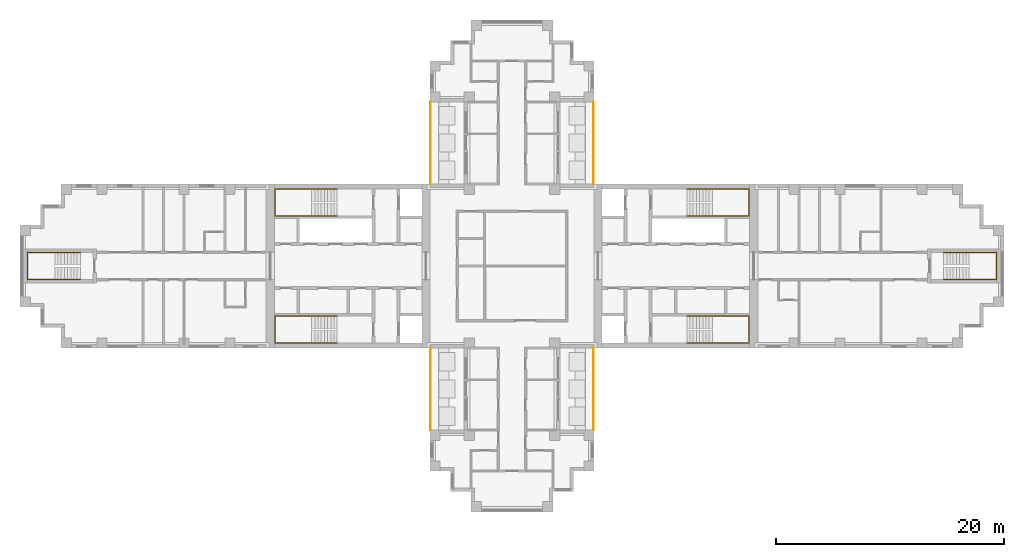
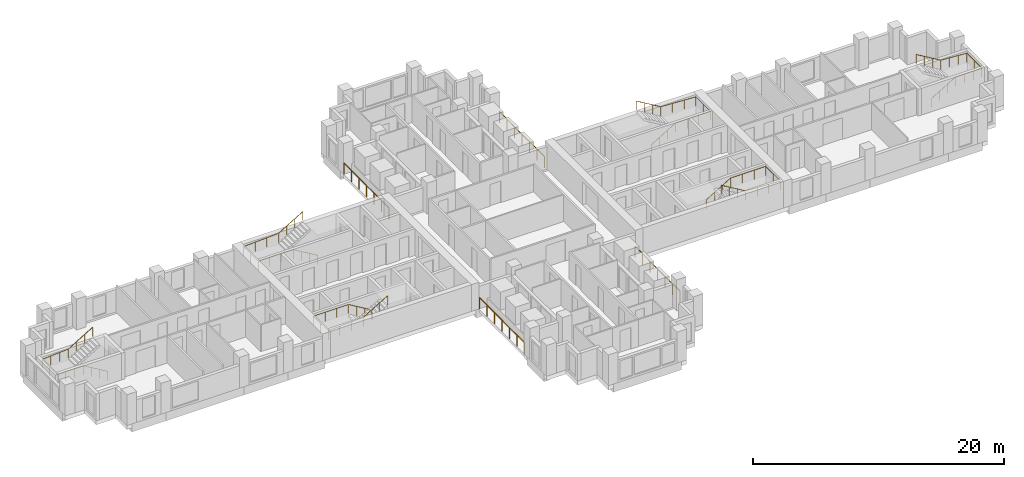
# One storey, part 11 of 12: 10 railings.
"""IFC4 building model written with IfcOpenShell, lengths in metres."""

from ifc_helpers import new_model, si_unit, direction, frame, origin, origin_2d, place, context, subcontext, project, spatial, circle, extrude, material, type_object, element, save


model = new_model("IFC4")

# Units and contexts
model_context = context("Model", 3, precision=1e-05, world=origin(), true_north=direction((0.0, 1.0)))
body_context = subcontext(model_context, "Body", "Model", "MODEL_VIEW")
ifc_project = project(units=[si_unit("LENGTHUNIT", "METRE"), si_unit("AREAUNIT", "SQUARE_METRE"), si_unit("VOLUMEUNIT", "CUBIC_METRE"), si_unit("PLANEANGLEUNIT", "RADIAN"), si_unit("MASSUNIT", "GRAM", prefix="KILO")], contexts=[model_context])

# Site, building, storey
site_placement = place(None, origin())
site = spatial("IfcSite", under=ifc_project, at=site_placement, CompositionType="ELEMENT")
building_placement = place(site_placement, origin())
building = spatial("IfcBuilding", under=site, at=building_placement, Name="Fustian Cross Tower", CompositionType="ELEMENT")
storey_placement = place(building_placement, frame((0.0, 0.0, 150.300048828125)))
storey = spatial("IfcBuildingStorey", under=building, at=storey_placement, Name="L47", CompositionType="ELEMENT", Elevation=150.300048828125)

# Railings
ifc_material_1 = material(Name="Stainless steel and glass", Category="steel")
railing_type_1 = type_object("IfcRailingType", Name="GR1 BALCONY GUARD 1100", PredefinedType="GUARDRAIL", material=ifc_material_1)
for number, where, name in (
    (1, (7.14990234375, 7.199951171875, 0.0), "Balcony guard"),
    (2, (-7.14990234375, 7.199951171875, 0.0), "Balcony guard"),
    (3, (7.14990234375, -14.39990234375, 0.0), "Balcony guard"),
    (4, (-7.14990234375, -14.39990234375, 0.0), "Balcony guard"),
):
    element("IfcRailing", number, at=place(storey_placement, frame(where)), inside=storey, type_object=railing_type_1, Name=name, PredefinedType="GUARDRAIL", context=body_context, shape_type="SweptSolid", body=[
        extrude(circle(Radius=0.02392578125, at=origin_2d()), frame((0.0, 0.0, 1.076171875), z_axis=(0.0, 1.0, 0.0), x_axis=(-1.0, 0.0, 0.0)), (0.0, 0.0, 1.0), 7.199951171875),
        extrude(circle(Radius=0.02099609375, at=origin_2d()), origin(), (0.0, 0.0, 1.0), 1.052001953125),
        extrude(circle(Radius=0.02099609375, at=origin_2d()), frame((0.0, 1.199951171875, 0.0)), (0.0, 0.0, 1.0), 1.052001953125),
        extrude(circle(Radius=0.02099609375, at=origin_2d()), frame((0.0, 2.39990234375, 0.0)), (0.0, 0.0, 1.0), 1.052001953125),
        extrude(circle(Radius=0.02099609375, at=origin_2d()), frame((0.0, 3.60009765625, 0.0)), (0.0, 0.0, 1.0), 1.052001953125),
        extrude(circle(Radius=0.02099609375, at=origin_2d()), frame((0.0, 4.800048828125, 0.0)), (0.0, 0.0, 1.0), 1.052001953125),
        extrude(circle(Radius=0.02099609375, at=origin_2d()), frame((0.0, 6.0, 0.0)), (0.0, 0.0, 1.0), 1.052001953125),
        extrude(circle(Radius=0.02099609375, at=origin_2d()), frame((0.0, 7.199951171875, 0.0)), (0.0, 0.0, 1.0), 1.052001953125),
    ])
ifc_material_2 = material(Name="Stainless steel", Category="steel")
railing_type_2 = type_object("IfcRailingType", Name="STAIR HANDRAIL", PredefinedType="HANDRAIL", material=ifc_material_2)
railing_1_placement = place(storey_placement, frame((15.35009765625, 4.39990234375, 0.16650390625)))
element("IfcRailing", 5, at=railing_1_placement, inside=storey, type_object=railing_type_2, Name="Stair ST1 handrail 1", PredefinedType="HANDRAIL", context=body_context, shape_type="SweptSolid", body=[
    extrude(circle(Radius=0.02490234375, at=origin_2d()), frame((0.0, 0.0, 0.875), z_axis=(0.859264461869, 0.0, 0.511531606619), x_axis=(0.0, 1.0, 0.0)), (0.0, 0.0, 1.0), 2.60693359375),
    extrude(circle(Radius=0.02490234375, at=origin_2d()), frame((2.239990234375, 0.0, 2.20849609375), z_axis=(1.0, 0.0, 0.0), x_axis=(0.0, 1.0, 0.0)), (0.0, 0.0, 1.0), 3.219970703125),
    extrude(circle(Radius=0.02490234375, at=origin_2d()), frame((5.4599609375, 0.0, 2.20849609375), z_axis=(0.0, 1.0, 0.0), x_axis=(-1.0, 0.0, 0.0)), (0.0, 0.0, 1.0), 2.35009765625),
    extrude(circle(Radius=0.02490234375, at=origin_2d()), frame((5.4599609375, 2.35009765625, 2.20849609375), z_axis=(-0.998665725648, 0.0, 0.051640763128), x_axis=(0.0, -1.0, 0.0)), (0.0, 0.0, 1.0), 3.224365234375),
    extrude(circle(Radius=0.02490234375, at=origin_2d()), frame((2.239990234375, 2.35009765625, 2.375), z_axis=(-0.859264461869, 0.0, 0.511531606619), x_axis=(0.0, -1.0, 0.0)), (0.0, 0.0, 1.0), 2.60693359375),
    extrude(circle(Radius=0.02001953125, at=origin_2d()), origin(), (0.0, 0.0, 1.0), 0.849853515625),
    extrude(circle(Radius=0.02001953125, at=origin_2d()), frame((0.74658203125, 0.0, 0.444580078125)), (0.0, 0.0, 1.0), 0.849853515625),
    extrude(circle(Radius=0.02001953125, at=origin_2d()), frame((1.493408203125, 0.0, 0.888916015625)), (0.0, 0.0, 1.0), 0.849853515625),
    extrude(circle(Radius=0.02001953125, at=origin_2d()), frame((2.239990234375, 0.0, 1.33349609375)), (0.0, 0.0, 1.0), 0.849853515625),
    extrude(circle(Radius=0.02001953125, at=origin_2d()), frame((3.313232421875, 0.0, 1.33349609375)), (0.0, 0.0, 1.0), 0.849853515625),
    extrude(circle(Radius=0.02001953125, at=origin_2d()), frame((4.38671875, 0.0, 1.33349609375)), (0.0, 0.0, 1.0), 0.849853515625),
    extrude(circle(Radius=0.02001953125, at=origin_2d()), frame((5.4599609375, 0.0, 1.33349609375)), (0.0, 0.0, 1.0), 0.849853515625),
    extrude(circle(Radius=0.02001953125, at=origin_2d()), frame((5.4599609375, 1.175048828125, 1.33349609375)), (0.0, 0.0, 1.0), 0.849853515625),
    extrude(circle(Radius=0.02001953125, at=origin_2d()), frame((5.4599609375, 2.35009765625, 1.33349609375)), (0.0, 0.0, 1.0), 0.849853515625),
    extrude(circle(Radius=0.02001953125, at=origin_2d()), frame((4.38671875, 2.35009765625, 1.388916015625)), (0.0, 0.0, 1.0), 0.849853515625),
    extrude(circle(Radius=0.02001953125, at=origin_2d()), frame((3.313232421875, 2.35009765625, 1.444580078125)), (0.0, 0.0, 1.0), 0.849853515625),
    extrude(circle(Radius=0.02001953125, at=origin_2d()), frame((2.239990234375, 2.35009765625, 1.5)), (0.0, 0.0, 1.0), 0.849853515625),
    extrude(circle(Radius=0.02001953125, at=origin_2d()), frame((1.493408203125, 2.35009765625, 1.944580078125)), (0.0, 0.0, 1.0), 0.849853515625),
    extrude(circle(Radius=0.02001953125, at=origin_2d()), frame((0.74658203125, 2.35009765625, 2.388916015625)), (0.0, 0.0, 1.0), 0.849853515625),
    extrude(circle(Radius=0.02001953125, at=origin_2d()), frame((0.0, 2.35009765625, 2.83349609375)), (0.0, 0.0, 1.0), 0.849853515625),
])
railing_2_placement = place(storey_placement, frame((15.35009765625, -4.39990234375, 0.16650390625)))
element("IfcRailing", 6, at=railing_2_placement, inside=storey, type_object=railing_type_2, Name="Stair ST2 handrail 1", PredefinedType="HANDRAIL", context=body_context, shape_type="SweptSolid", body=[
    extrude(circle(Radius=0.02490234375, at=origin_2d()), frame((0.0, 0.0, 0.875), z_axis=(0.859264461869, 0.0, 0.511531606619), x_axis=(0.0, 1.0, 0.0)), (0.0, 0.0, 1.0), 2.60693359375),
    extrude(circle(Radius=0.02490234375, at=origin_2d()), frame((2.239990234375, 0.0, 2.20849609375), z_axis=(1.0, 0.0, 0.0), x_axis=(0.0, 1.0, 0.0)), (0.0, 0.0, 1.0), 3.219970703125),
    extrude(circle(Radius=0.02490234375, at=origin_2d()), frame((5.4599609375, 0.0, 2.20849609375), z_axis=(0.0, -1.0, 0.0), x_axis=(1.0, 0.0, 0.0)), (0.0, 0.0, 1.0), 2.35009765625),
    extrude(circle(Radius=0.02490234375, at=origin_2d()), frame((5.4599609375, -2.35009765625, 2.20849609375), z_axis=(-0.998665725648, 0.0, 0.051640763128), x_axis=(0.0, -1.0, 0.0)), (0.0, 0.0, 1.0), 3.224365234375),
    extrude(circle(Radius=0.02490234375, at=origin_2d()), frame((2.239990234375, -2.35009765625, 2.375), z_axis=(-0.859264461869, 0.0, 0.511531606619), x_axis=(0.0, -1.0, 0.0)), (0.0, 0.0, 1.0), 2.60693359375),
    extrude(circle(Radius=0.02001953125, at=origin_2d()), origin(), (0.0, 0.0, 1.0), 0.849853515625),
    extrude(circle(Radius=0.02001953125, at=origin_2d()), frame((0.74658203125, 0.0, 0.444580078125)), (0.0, 0.0, 1.0), 0.849853515625),
    extrude(circle(Radius=0.02001953125, at=origin_2d()), frame((1.493408203125, 0.0, 0.888916015625)), (0.0, 0.0, 1.0), 0.849853515625),
    extrude(circle(Radius=0.02001953125, at=origin_2d()), frame((2.239990234375, 0.0, 1.33349609375)), (0.0, 0.0, 1.0), 0.849853515625),
    extrude(circle(Radius=0.02001953125, at=origin_2d()), frame((3.313232421875, 0.0, 1.33349609375)), (0.0, 0.0, 1.0), 0.849853515625),
    extrude(circle(Radius=0.02001953125, at=origin_2d()), frame((4.38671875, 0.0, 1.33349609375)), (0.0, 0.0, 1.0), 0.849853515625),
    extrude(circle(Radius=0.02001953125, at=origin_2d()), frame((5.4599609375, 0.0, 1.33349609375)), (0.0, 0.0, 1.0), 0.849853515625),
    extrude(circle(Radius=0.02001953125, at=origin_2d()), frame((5.4599609375, -1.175048828125, 1.33349609375)), (0.0, 0.0, 1.0), 0.849853515625),
    extrude(circle(Radius=0.02001953125, at=origin_2d()), frame((5.4599609375, -2.35009765625, 1.33349609375)), (0.0, 0.0, 1.0), 0.849853515625),
    extrude(circle(Radius=0.02001953125, at=origin_2d()), frame((4.38671875, -2.35009765625, 1.388916015625)), (0.0, 0.0, 1.0), 0.849853515625),
    extrude(circle(Radius=0.02001953125, at=origin_2d()), frame((3.313232421875, -2.35009765625, 1.444580078125)), (0.0, 0.0, 1.0), 0.849853515625),
    extrude(circle(Radius=0.02001953125, at=origin_2d()), frame((2.239990234375, -2.35009765625, 1.5)), (0.0, 0.0, 1.0), 0.849853515625),
    extrude(circle(Radius=0.02001953125, at=origin_2d()), frame((1.493408203125, -2.35009765625, 1.944580078125)), (0.0, 0.0, 1.0), 0.849853515625),
    extrude(circle(Radius=0.02001953125, at=origin_2d()), frame((0.74658203125, -2.35009765625, 2.388916015625)), (0.0, 0.0, 1.0), 0.849853515625),
    extrude(circle(Radius=0.02001953125, at=origin_2d()), frame((0.0, -2.35009765625, 2.83349609375)), (0.0, 0.0, 1.0), 0.849853515625),
])
railing_3_placement = place(storey_placement, frame((-15.35009765625, 4.39990234375, 0.16650390625)))
element("IfcRailing", 7, at=railing_3_placement, inside=storey, type_object=railing_type_2, Name="Stair ST3 handrail 1", PredefinedType="HANDRAIL", context=body_context, shape_type="SweptSolid", body=[
    extrude(circle(Radius=0.02490234375, at=origin_2d()), frame((0.0, 0.0, 0.875), z_axis=(-0.859264461869, 0.0, 0.511531606619), x_axis=(0.0, -1.0, 0.0)), (0.0, 0.0, 1.0), 2.60693359375),
    extrude(circle(Radius=0.02490234375, at=origin_2d()), frame((-2.239990234375, 0.0, 2.20849609375), z_axis=(-1.0, 0.0, 0.0), x_axis=(0.0, -1.0, 0.0)), (0.0, 0.0, 1.0), 3.219970703125),
    extrude(circle(Radius=0.02490234375, at=origin_2d()), frame((-5.4599609375, 0.0, 2.20849609375), z_axis=(0.0, 1.0, 0.0), x_axis=(-1.0, 0.0, 0.0)), (0.0, 0.0, 1.0), 2.35009765625),
    extrude(circle(Radius=0.02490234375, at=origin_2d()), frame((-5.4599609375, 2.35009765625, 2.20849609375), z_axis=(0.998665725648, 0.0, 0.051640763128), x_axis=(0.0, 1.0, 0.0)), (0.0, 0.0, 1.0), 3.224365234375),
    extrude(circle(Radius=0.02490234375, at=origin_2d()), frame((-2.239990234375, 2.35009765625, 2.375), z_axis=(0.859264461869, 0.0, 0.511531606619), x_axis=(0.0, 1.0, 0.0)), (0.0, 0.0, 1.0), 2.60693359375),
    extrude(circle(Radius=0.02001953125, at=origin_2d()), origin(), (0.0, 0.0, 1.0), 0.849853515625),
    extrude(circle(Radius=0.02001953125, at=origin_2d()), frame((-0.74658203125, 0.0, 0.444580078125)), (0.0, 0.0, 1.0), 0.849853515625),
    extrude(circle(Radius=0.02001953125, at=origin_2d()), frame((-1.493408203125, 0.0, 0.888916015625)), (0.0, 0.0, 1.0), 0.849853515625),
    extrude(circle(Radius=0.02001953125, at=origin_2d()), frame((-2.239990234375, 0.0, 1.33349609375)), (0.0, 0.0, 1.0), 0.849853515625),
    extrude(circle(Radius=0.02001953125, at=origin_2d()), frame((-3.313232421875, 0.0, 1.33349609375)), (0.0, 0.0, 1.0), 0.849853515625),
    extrude(circle(Radius=0.02001953125, at=origin_2d()), frame((-4.38671875, 0.0, 1.33349609375)), (0.0, 0.0, 1.0), 0.849853515625),
    extrude(circle(Radius=0.02001953125, at=origin_2d()), frame((-5.4599609375, 0.0, 1.33349609375)), (0.0, 0.0, 1.0), 0.849853515625),
    extrude(circle(Radius=0.02001953125, at=origin_2d()), frame((-5.4599609375, 1.175048828125, 1.33349609375)), (0.0, 0.0, 1.0), 0.849853515625),
    extrude(circle(Radius=0.02001953125, at=origin_2d()), frame((-5.4599609375, 2.35009765625, 1.33349609375)), (0.0, 0.0, 1.0), 0.849853515625),
    extrude(circle(Radius=0.02001953125, at=origin_2d()), frame((-4.38671875, 2.35009765625, 1.388916015625)), (0.0, 0.0, 1.0), 0.849853515625),
    extrude(circle(Radius=0.02001953125, at=origin_2d()), frame((-3.313232421875, 2.35009765625, 1.444580078125)), (0.0, 0.0, 1.0), 0.849853515625),
    extrude(circle(Radius=0.02001953125, at=origin_2d()), frame((-2.239990234375, 2.35009765625, 1.5)), (0.0, 0.0, 1.0), 0.849853515625),
    extrude(circle(Radius=0.02001953125, at=origin_2d()), frame((-1.493408203125, 2.35009765625, 1.944580078125)), (0.0, 0.0, 1.0), 0.849853515625),
    extrude(circle(Radius=0.02001953125, at=origin_2d()), frame((-0.74658203125, 2.35009765625, 2.388916015625)), (0.0, 0.0, 1.0), 0.849853515625),
    extrude(circle(Radius=0.02001953125, at=origin_2d()), frame((0.0, 2.35009765625, 2.83349609375)), (0.0, 0.0, 1.0), 0.849853515625),
])
railing_4_placement = place(storey_placement, frame((-15.35009765625, -4.39990234375, 0.16650390625)))
element("IfcRailing", 8, at=railing_4_placement, inside=storey, type_object=railing_type_2, Name="Stair ST4 handrail 1", PredefinedType="HANDRAIL", context=body_context, shape_type="SweptSolid", body=[
    extrude(circle(Radius=0.02490234375, at=origin_2d()), frame((0.0, 0.0, 0.875), z_axis=(-0.859264461869, 0.0, 0.511531606619), x_axis=(0.0, -1.0, 0.0)), (0.0, 0.0, 1.0), 2.60693359375),
    extrude(circle(Radius=0.02490234375, at=origin_2d()), frame((-2.239990234375, 0.0, 2.20849609375), z_axis=(-1.0, 0.0, 0.0), x_axis=(0.0, -1.0, 0.0)), (0.0, 0.0, 1.0), 3.219970703125),
    extrude(circle(Radius=0.02490234375, at=origin_2d()), frame((-5.4599609375, 0.0, 2.20849609375), z_axis=(0.0, -1.0, 0.0), x_axis=(1.0, 0.0, 0.0)), (0.0, 0.0, 1.0), 2.35009765625),
    extrude(circle(Radius=0.02490234375, at=origin_2d()), frame((-5.4599609375, -2.35009765625, 2.20849609375), z_axis=(0.998665725648, 0.0, 0.051640763128), x_axis=(0.0, 1.0, 0.0)), (0.0, 0.0, 1.0), 3.224365234375),
    extrude(circle(Radius=0.02490234375, at=origin_2d()), frame((-2.239990234375, -2.35009765625, 2.375), z_axis=(0.859264461869, 0.0, 0.511531606619), x_axis=(0.0, 1.0, 0.0)), (0.0, 0.0, 1.0), 2.60693359375),
    extrude(circle(Radius=0.02001953125, at=origin_2d()), origin(), (0.0, 0.0, 1.0), 0.849853515625),
    extrude(circle(Radius=0.02001953125, at=origin_2d()), frame((-0.74658203125, 0.0, 0.444580078125)), (0.0, 0.0, 1.0), 0.849853515625),
    extrude(circle(Radius=0.02001953125, at=origin_2d()), frame((-1.493408203125, 0.0, 0.888916015625)), (0.0, 0.0, 1.0), 0.849853515625),
    extrude(circle(Radius=0.02001953125, at=origin_2d()), frame((-2.239990234375, 0.0, 1.33349609375)), (0.0, 0.0, 1.0), 0.849853515625),
    extrude(circle(Radius=0.02001953125, at=origin_2d()), frame((-3.313232421875, 0.0, 1.33349609375)), (0.0, 0.0, 1.0), 0.849853515625),
    extrude(circle(Radius=0.02001953125, at=origin_2d()), frame((-4.38671875, 0.0, 1.33349609375)), (0.0, 0.0, 1.0), 0.849853515625),
    extrude(circle(Radius=0.02001953125, at=origin_2d()), frame((-5.4599609375, 0.0, 1.33349609375)), (0.0, 0.0, 1.0), 0.849853515625),
    extrude(circle(Radius=0.02001953125, at=origin_2d()), frame((-5.4599609375, -1.175048828125, 1.33349609375)), (0.0, 0.0, 1.0), 0.849853515625),
    extrude(circle(Radius=0.02001953125, at=origin_2d()), frame((-5.4599609375, -2.35009765625, 1.33349609375)), (0.0, 0.0, 1.0), 0.849853515625),
    extrude(circle(Radius=0.02001953125, at=origin_2d()), frame((-4.38671875, -2.35009765625, 1.388916015625)), (0.0, 0.0, 1.0), 0.849853515625),
    extrude(circle(Radius=0.02001953125, at=origin_2d()), frame((-3.313232421875, -2.35009765625, 1.444580078125)), (0.0, 0.0, 1.0), 0.849853515625),
    extrude(circle(Radius=0.02001953125, at=origin_2d()), frame((-2.239990234375, -2.35009765625, 1.5)), (0.0, 0.0, 1.0), 0.849853515625),
    extrude(circle(Radius=0.02001953125, at=origin_2d()), frame((-1.493408203125, -2.35009765625, 1.944580078125)), (0.0, 0.0, 1.0), 0.849853515625),
    extrude(circle(Radius=0.02001953125, at=origin_2d()), frame((-0.74658203125, -2.35009765625, 2.388916015625)), (0.0, 0.0, 1.0), 0.849853515625),
    extrude(circle(Radius=0.02001953125, at=origin_2d()), frame((0.0, -2.35009765625, 2.83349609375)), (0.0, 0.0, 1.0), 0.849853515625),
])
railing_5_placement = place(storey_placement, frame((37.89990234375, -1.199951171875, 0.16650390625)))
element("IfcRailing", 9, at=railing_5_placement, inside=storey, type_object=railing_type_2, Name="Stair ST8 handrail 1", PredefinedType="HANDRAIL", context=body_context, shape_type="SweptSolid", body=[
    extrude(circle(Radius=0.02490234375, at=origin_2d()), frame((0.0, 0.0, 0.875), z_axis=(0.859264461869, 0.0, 0.511531606619), x_axis=(0.0, 1.0, 0.0)), (0.0, 0.0, 1.0), 2.60693359375),
    extrude(circle(Radius=0.02490234375, at=origin_2d()), frame((2.239990234375, 0.0, 2.20849609375), z_axis=(1.0, 0.0, 0.0), x_axis=(0.0, 1.0, 0.0)), (0.0, 0.0, 1.0), 2.420166015625),
    extrude(circle(Radius=0.02490234375, at=origin_2d()), frame((4.66015625, 0.0, 2.20849609375), z_axis=(0.0, 1.0, 0.0), x_axis=(-1.0, 0.0, 0.0)), (0.0, 0.0, 1.0), 2.39990234375),
    extrude(circle(Radius=0.02490234375, at=origin_2d()), frame((4.66015625, 2.39990234375, 2.20849609375), z_axis=(-0.997641748275, 0.0, 0.068636303069), x_axis=(0.0, -1.0, 0.0)), (0.0, 0.0, 1.0), 2.42578125),
    extrude(circle(Radius=0.02490234375, at=origin_2d()), frame((2.239990234375, 2.39990234375, 2.375), z_axis=(-0.859264461869, 0.0, 0.511531606619), x_axis=(0.0, -1.0, 0.0)), (0.0, 0.0, 1.0), 2.60693359375),
    extrude(circle(Radius=0.02001953125, at=origin_2d()), origin(), (0.0, 0.0, 1.0), 0.849853515625),
    extrude(circle(Radius=0.02001953125, at=origin_2d()), frame((0.74658203125, 0.0, 0.444580078125)), (0.0, 0.0, 1.0), 0.849853515625),
    extrude(circle(Radius=0.02001953125, at=origin_2d()), frame((1.493408203125, 0.0, 0.888916015625)), (0.0, 0.0, 1.0), 0.849853515625),
    extrude(circle(Radius=0.02001953125, at=origin_2d()), frame((2.239990234375, 0.0, 1.33349609375)), (0.0, 0.0, 1.0), 0.849853515625),
    extrude(circle(Radius=0.02001953125, at=origin_2d()), frame((3.046630859375, 0.0, 1.33349609375)), (0.0, 0.0, 1.0), 0.849853515625),
    extrude(circle(Radius=0.02001953125, at=origin_2d()), frame((3.853515625, 0.0, 1.33349609375)), (0.0, 0.0, 1.0), 0.849853515625),
    extrude(circle(Radius=0.02001953125, at=origin_2d()), frame((4.66015625, 0.0, 1.33349609375)), (0.0, 0.0, 1.0), 0.849853515625),
    extrude(circle(Radius=0.02001953125, at=origin_2d()), frame((4.66015625, 1.199951171875, 1.33349609375)), (0.0, 0.0, 1.0), 0.849853515625),
    extrude(circle(Radius=0.02001953125, at=origin_2d()), frame((4.66015625, 2.39990234375, 1.33349609375)), (0.0, 0.0, 1.0), 0.849853515625),
    extrude(circle(Radius=0.02001953125, at=origin_2d()), frame((3.853515625, 2.39990234375, 1.388916015625)), (0.0, 0.0, 1.0), 0.849853515625),
    extrude(circle(Radius=0.02001953125, at=origin_2d()), frame((3.046630859375, 2.39990234375, 1.444580078125)), (0.0, 0.0, 1.0), 0.849853515625),
    extrude(circle(Radius=0.02001953125, at=origin_2d()), frame((2.239990234375, 2.39990234375, 1.5)), (0.0, 0.0, 1.0), 0.849853515625),
    extrude(circle(Radius=0.02001953125, at=origin_2d()), frame((1.493408203125, 2.39990234375, 1.944580078125)), (0.0, 0.0, 1.0), 0.849853515625),
    extrude(circle(Radius=0.02001953125, at=origin_2d()), frame((0.74658203125, 2.39990234375, 2.388916015625)), (0.0, 0.0, 1.0), 0.849853515625),
    extrude(circle(Radius=0.02001953125, at=origin_2d()), frame((0.0, 2.39990234375, 2.83349609375)), (0.0, 0.0, 1.0), 0.849853515625),
])
railing_6_placement = place(storey_placement, frame((-37.89990234375, -1.199951171875, 0.16650390625)))
element("IfcRailing", 10, at=railing_6_placement, inside=storey, type_object=railing_type_2, Name="Stair ST9 handrail 1", PredefinedType="HANDRAIL", context=body_context, shape_type="SweptSolid", body=[
    extrude(circle(Radius=0.02490234375, at=origin_2d()), frame((0.0, 0.0, 0.875), z_axis=(-0.859264461869, 0.0, 0.511531606619), x_axis=(0.0, -1.0, 0.0)), (0.0, 0.0, 1.0), 2.60693359375),
    extrude(circle(Radius=0.02490234375, at=origin_2d()), frame((-2.239990234375, 0.0, 2.20849609375), z_axis=(-1.0, 0.0, 0.0), x_axis=(0.0, -1.0, 0.0)), (0.0, 0.0, 1.0), 2.420166015625),
    extrude(circle(Radius=0.02490234375, at=origin_2d()), frame((-4.66015625, 0.0, 2.20849609375), z_axis=(0.0, 1.0, 0.0), x_axis=(-1.0, 0.0, 0.0)), (0.0, 0.0, 1.0), 2.39990234375),
    extrude(circle(Radius=0.02490234375, at=origin_2d()), frame((-4.66015625, 2.39990234375, 2.20849609375), z_axis=(0.997641748275, 0.0, 0.068636303069), x_axis=(0.0, 1.0, 0.0)), (0.0, 0.0, 1.0), 2.42578125),
    extrude(circle(Radius=0.02490234375, at=origin_2d()), frame((-2.239990234375, 2.39990234375, 2.375), z_axis=(0.859264461869, 0.0, 0.511531606619), x_axis=(0.0, 1.0, 0.0)), (0.0, 0.0, 1.0), 2.60693359375),
    extrude(circle(Radius=0.02001953125, at=origin_2d()), origin(), (0.0, 0.0, 1.0), 0.849853515625),
    extrude(circle(Radius=0.02001953125, at=origin_2d()), frame((-0.74658203125, 0.0, 0.444580078125)), (0.0, 0.0, 1.0), 0.849853515625),
    extrude(circle(Radius=0.02001953125, at=origin_2d()), frame((-1.493408203125, 0.0, 0.888916015625)), (0.0, 0.0, 1.0), 0.849853515625),
    extrude(circle(Radius=0.02001953125, at=origin_2d()), frame((-2.239990234375, 0.0, 1.33349609375)), (0.0, 0.0, 1.0), 0.849853515625),
    extrude(circle(Radius=0.02001953125, at=origin_2d()), frame((-3.046630859375, 0.0, 1.33349609375)), (0.0, 0.0, 1.0), 0.849853515625),
    extrude(circle(Radius=0.02001953125, at=origin_2d()), frame((-3.853515625, 0.0, 1.33349609375)), (0.0, 0.0, 1.0), 0.849853515625),
    extrude(circle(Radius=0.02001953125, at=origin_2d()), frame((-4.66015625, 0.0, 1.33349609375)), (0.0, 0.0, 1.0), 0.849853515625),
    extrude(circle(Radius=0.02001953125, at=origin_2d()), frame((-4.66015625, 1.199951171875, 1.33349609375)), (0.0, 0.0, 1.0), 0.849853515625),
    extrude(circle(Radius=0.02001953125, at=origin_2d()), frame((-4.66015625, 2.39990234375, 1.33349609375)), (0.0, 0.0, 1.0), 0.849853515625),
    extrude(circle(Radius=0.02001953125, at=origin_2d()), frame((-3.853515625, 2.39990234375, 1.388916015625)), (0.0, 0.0, 1.0), 0.849853515625),
    extrude(circle(Radius=0.02001953125, at=origin_2d()), frame((-3.046630859375, 2.39990234375, 1.444580078125)), (0.0, 0.0, 1.0), 0.849853515625),
    extrude(circle(Radius=0.02001953125, at=origin_2d()), frame((-2.239990234375, 2.39990234375, 1.5)), (0.0, 0.0, 1.0), 0.849853515625),
    extrude(circle(Radius=0.02001953125, at=origin_2d()), frame((-1.493408203125, 2.39990234375, 1.944580078125)), (0.0, 0.0, 1.0), 0.849853515625),
    extrude(circle(Radius=0.02001953125, at=origin_2d()), frame((-0.74658203125, 2.39990234375, 2.388916015625)), (0.0, 0.0, 1.0), 0.849853515625),
    extrude(circle(Radius=0.02001953125, at=origin_2d()), frame((0.0, 2.39990234375, 2.83349609375)), (0.0, 0.0, 1.0), 0.849853515625),
])

save(model, "model.ifc")
